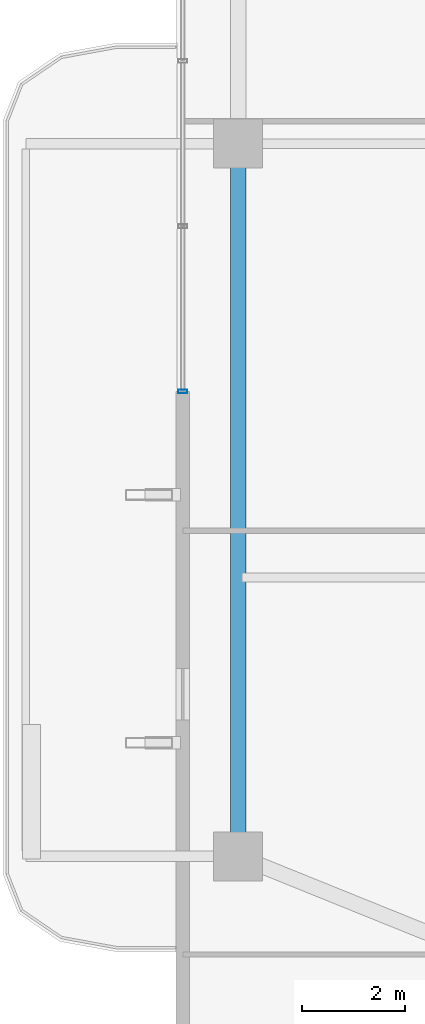
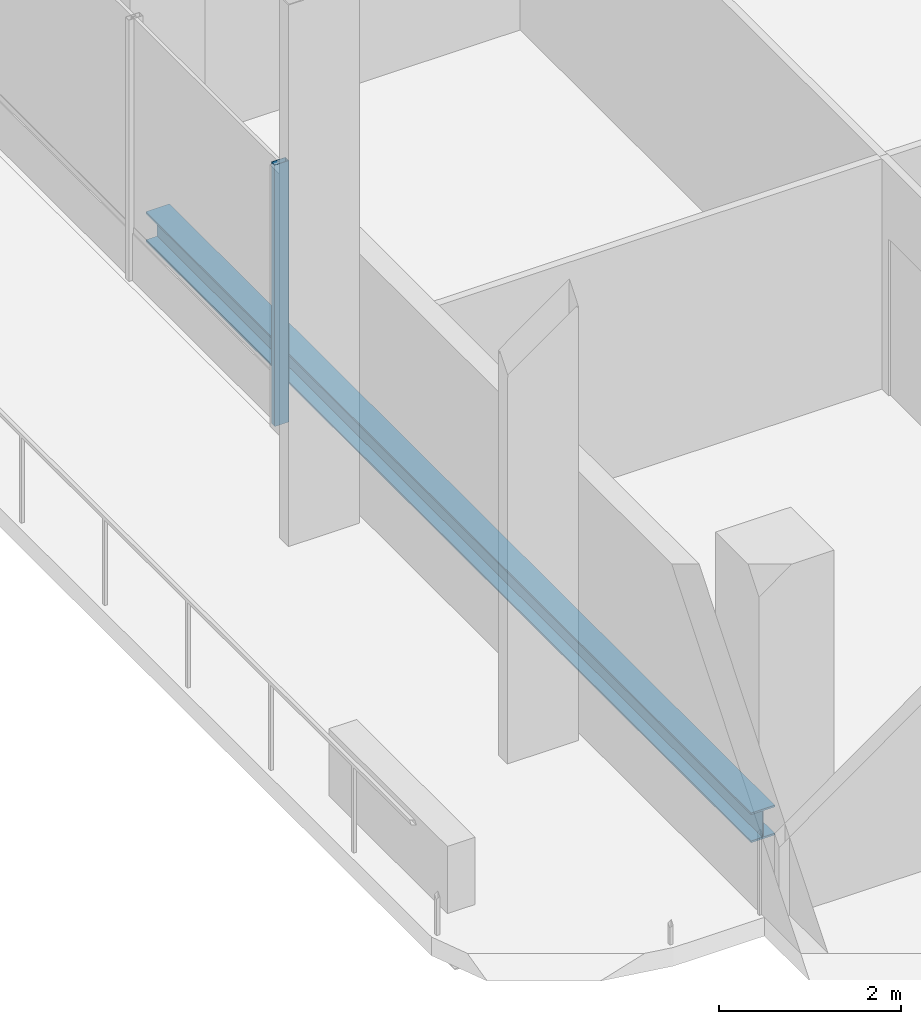
# One storey, part 4 of 25: 1 beam, 1 member, 1 element without a shape of its own.
"""IFC4 building model written with IfcOpenShell, lengths in metres."""

import ifcopenshell
import ifcopenshell.guid

model = None  # the IFC model being written
_history = None  # IfcOwnerHistory: only IFC2X3 demands one
_inside = {}  # id of a spatial element -> (the spatial element, [elements in it])
_under = {}  # id of a project, library or spatial element -> (it, [spatial elements below it])
_declared = {}  # id of a project -> (the project, [libraries it declares])
_typed = {}  # id of a type object -> (the type object, [elements of that type])
_made_of = {}  # id of a material, layer set ... -> (it, [elements and type objects made of it])


def new_model(schema):
    """Start an empty IFC model of exactly this schema.

    Asked for "IFC4X3", IfcOpenShell would pick the latest addendum, in which some entities
    have other attributes; the version numbers below select the first issue.
    IFC2X3 requires an IfcOwnerHistory on every rooted entity: one is made here for all.
    """
    global model, _history
    if schema == "IFC4X3":
        model = ifcopenshell.file(schema_version=(4, 3, 0, 0))
    else:
        model = ifcopenshell.file(schema=schema)
    _inside.clear()
    _under.clear()
    _declared.clear()
    _typed.clear()
    _made_of.clear()
    _history = None
    if model.schema == "IFC2X3":
        org = make("IfcOrganization", Name="unknown")
        user = make(
            "IfcPersonAndOrganization",
            ThePerson=make("IfcPerson", FamilyName="unknown"),
            TheOrganization=org,
        )
        app = make(
            "IfcApplication",
            ApplicationDeveloper=org,
            Version="unknown",
            ApplicationFullName="unknown",
            ApplicationIdentifier="unknown",
        )
        _history = make(
            "IfcOwnerHistory",
            OwningUser=user,
            OwningApplication=app,
            ChangeAction="ADDED",
            CreationDate=0,
        )
    return model


def make(cls, **values):
    """One entity of the class cls with the attributes given. An attribute that is None is left unset."""
    return model.create_entity(
        cls, **{name: value for name, value in values.items() if value is not None}
    )


def rooted(cls, **values):
    """An entity with a GlobalId (a new one), such as an element, a storey or a relation."""
    return make(cls, GlobalId=ifcopenshell.guid.new(), OwnerHistory=_history, **values)


def si_unit(unit_type, name, prefix=None):
    """IfcSIUnit, for example si_unit("LENGTHUNIT", "METRE", prefix="MILLI")."""
    return make("IfcSIUnit", UnitType=unit_type, Prefix=prefix, Name=name)


def assignment(units):
    """IfcUnitAssignment: the units of a project."""
    return None if units is None else make("IfcUnitAssignment", Units=units)


def point(xyz):
    """IfcCartesianPoint."""
    return None if xyz is None else make("IfcCartesianPoint", Coordinates=xyz)


def direction(xyz):
    """IfcDirection."""
    return None if xyz is None else make("IfcDirection", DirectionRatios=xyz)


def frame(location, z_axis=None, x_axis=None):
    """IfcAxis2Placement3D, a coordinate frame: its origin and axes. An axis left out is left unset."""
    return make(
        "IfcAxis2Placement3D",
        Location=point(location),
        Axis=direction(z_axis),
        RefDirection=direction(x_axis),
    )


def frame_2d(location, x_axis=None):
    """IfcAxis2Placement2D, a coordinate frame in the plane: its origin and x axis."""
    return make(
        "IfcAxis2Placement2D", Location=point(location), RefDirection=direction(x_axis)
    )


def origin():
    """The frame at (0, 0, 0) with its axes left unset."""
    return frame((0.0, 0.0, 0.0))


def origin_2d():
    """The frame at (0, 0) in the plane with its x axis left unset."""
    return frame_2d((0.0, 0.0))


def place(relative_to, where):
    """IfcLocalPlacement: puts the frame where relative to a parent placement (None: the world)."""
    return make(
        "IfcLocalPlacement", PlacementRelTo=relative_to, RelativePlacement=where
    )


def context(
    kind, dimensions, precision=None, world=None, true_north=None, identifier=None
):
    """IfcGeometricRepresentationContext, for example the 3D "Model" context."""
    return make(
        "IfcGeometricRepresentationContext",
        ContextIdentifier=identifier,
        ContextType=kind,
        CoordinateSpaceDimension=dimensions,
        Precision=precision,
        WorldCoordinateSystem=world,
        TrueNorth=true_north,
    )


def subcontext(parent, identifier, kind, view, scale=None):
    """IfcGeometricRepresentationSubContext, for example "Body" below "Model"."""
    return make(
        "IfcGeometricRepresentationSubContext",
        ContextIdentifier=identifier,
        ContextType=kind,
        ParentContext=parent,
        TargetScale=scale,
        TargetView=view,
    )


def project(units=None, contexts=None):
    """IfcProject with its units and contexts."""
    return rooted(
        "IfcProject",
        Name="project",
        RepresentationContexts=contexts,
        UnitsInContext=assignment(units),
    )


def spatial(cls, under=None, at=None, **own):
    """A site, building, storey or space (cls), placed at a placement, below another one or the project."""
    s = rooted(cls, ObjectPlacement=at, **own)
    if under is not None:
        _under.setdefault(under.id(), (under, []))[1].append(s)
    return s


def profile(cls, at=None, kind="AREA", **sizes):
    """A parametric profile (cls). Its sizes go by their IFC names, for example OverallWidth=200.0."""
    return make(cls, ProfileType=kind, Position=at, **sizes)


def hollow_rectangle(**sizes):
    """IfcRectangleHollowProfileDef."""
    return profile("IfcRectangleHollowProfileDef", **sizes)


def i_section(**sizes):
    """IfcIShapeProfileDef."""
    return profile("IfcIShapeProfileDef", **sizes)


def extrude(swept, where, along, depth):
    """IfcExtrudedAreaSolid: the profile swept, set in the frame where, extruded along a direction by depth."""
    return make(
        "IfcExtrudedAreaSolid",
        SweptArea=swept,
        Position=where,
        ExtrudedDirection=direction(along),
        Depth=depth,
    )


def shape(context_of_items, identifier, shape_type, items):
    """IfcShapeRepresentation: the items that make up one representation, for example the "Body"."""
    return make(
        "IfcShapeRepresentation",
        ContextOfItems=context_of_items,
        RepresentationIdentifier=identifier,
        RepresentationType=shape_type,
        Items=items,
    )


def material(Name=None, Category=None):
    """IfcMaterial."""
    return make("IfcMaterial", Name=Name, Category=Category)


def layer(
    of_material, thickness, ventilated=None, Name=None, Category=None, Priority=None
):
    """IfcMaterialLayer: one layer of a wall or slab, of a material (None: an air gap)."""
    return make(
        "IfcMaterialLayer",
        Material=of_material,
        LayerThickness=thickness,
        IsVentilated=ventilated,
        Name=Name,
        Category=Category,
        Priority=Priority,
    )


def layer_set(layers, Name=None):
    """IfcMaterialLayerSet."""
    return make("IfcMaterialLayerSet", MaterialLayers=layers, LayerSetName=Name)


def material_profile(
    of_material, cross_section, Name=None, Category=None, Priority=None
):
    """IfcMaterialProfile: a cross section and its material."""
    return make(
        "IfcMaterialProfile",
        Name=Name,
        Material=of_material,
        Profile=cross_section,
        Priority=Priority,
        Category=Category,
    )


def profile_set(profiles, Name=None, composite=None):
    """IfcMaterialProfileSet."""
    return make(
        "IfcMaterialProfileSet",
        Name=Name,
        MaterialProfiles=profiles,
        CompositeProfile=composite,
    )


def made_of(thing, what):
    """Note that an element or type object is made of a material, layer set ...; save() writes the relation."""
    if what is not None:
        _made_of.setdefault(what.id(), (what, []))[1].append(thing)
    return thing


def type_object(cls, material=None, **own):
    """A type object (cls), such as IfcWallType, which elements share."""
    return made_of(rooted(cls, **own), material)


def element(
    cls,
    number,
    at=None,
    inside=None,
    cuts=None,
    type_object=None,
    material=None,
    context=None,
    identifier="Body",
    shape_type=None,
    held_by="IfcProductDefinitionShape",
    body=None,
    shapes=None,
    **own,
):
    """One element of the class cls, such as IfcWall. Its Tag is "e" and its number.

    at: its placement. inside: the storey or other place that contains it. cuts: it is an
    opening in that element (IfcRelVoidsElement). A single representation is given by context,
    identifier, shape_type and body (its items); several are given by shapes. held_by: the class
    of the entity that holds the representations. save() writes the other relations.
    """
    e = rooted(cls, Tag="e%d" % number, ObjectPlacement=at, **own)
    if body is not None:
        shapes = [shape(context, identifier, shape_type, body)]
    if shapes is not None:
        e.Representation = make(held_by, Representations=shapes)
    if inside is not None:
        _inside.setdefault(inside.id(), (inside, []))[1].append(e)
    if cuts is not None:
        rooted(
            "IfcRelVoidsElement", RelatingBuildingElement=cuts, RelatedOpeningElement=e
        )
    if type_object is not None:
        _typed.setdefault(type_object.id(), (type_object, []))[1].append(e)
    return made_of(e, material)


def aggregate(whole, parts):
    """IfcRelAggregates: a whole, such as a stair, and the parts it consists of."""
    return rooted("IfcRelAggregates", RelatingObject=whole, RelatedObjects=parts)


def save(model, path):
    """Write the relations noted so far, then the file.

    IfcRelAggregates (storeys below a building ...), IfcRelContainedInSpatialStructure (elements
    in a storey), IfcRelDefinesByType, IfcRelAssociatesMaterial and IfcRelDeclares: one each for
    every whole, place, type object, material and project.
    """
    for whole, parts in _under.values():
        aggregate(whole, parts)
    for where, things in _inside.values():
        rooted(
            "IfcRelContainedInSpatialStructure",
            RelatedElements=things,
            RelatingStructure=where,
        )
    for kind, things in _typed.values():
        rooted("IfcRelDefinesByType", RelatedObjects=things, RelatingType=kind)
    for what, things in _made_of.values():
        rooted("IfcRelAssociatesMaterial", RelatedObjects=things, RelatingMaterial=what)
    for by, libraries in _declared.values():
        rooted("IfcRelDeclares", RelatingContext=by, RelatedDefinitions=libraries)
    model.write(path)


model = new_model("IFC4")

# Units and contexts
model_context = context("Model", 3, precision=1e-05, world=origin(), true_north=direction((0.0, 1.0)))
body_context = subcontext(model_context, "Body", "Model", "MODEL_VIEW")
ifc_project = project(units=[si_unit("LENGTHUNIT", "METRE"), si_unit("AREAUNIT", "SQUARE_METRE"), si_unit("VOLUMEUNIT", "CUBIC_METRE"), si_unit("PLANEANGLEUNIT", "RADIAN"), si_unit("MASSUNIT", "GRAM", prefix="KILO")], contexts=[model_context])

# Site, building, storey
site_placement = place(None, origin())
site = spatial("IfcSite", under=ifc_project, at=site_placement, CompositionType="ELEMENT")
building_placement = place(site_placement, origin())
building = spatial("IfcBuilding", under=site, at=building_placement, Name="Belovzor Exchange Tower", CompositionType="ELEMENT")
storey_placement = place(building_placement, frame((0.0, 0.0, 257.85009765625)))
storey = spatial("IfcBuildingStorey", under=building, at=storey_placement, Name="L64", CompositionType="ELEMENT", Elevation=257.85009765625)

# Curtain wall, member
ifc_material_1 = material(Name="Anodised Aluminium Framing", Category="aluminium")
ifc_layer = layer(ifc_material_1, 0.179931640625)
ifc_layer_set = layer_set([ifc_layer], Name="Anodised Aluminium Framing")
curtain_wall_type = type_object("IfcCurtainWallType", Name="Recessed Loggia Low-Iron Triple-Glazed Curtain Wall", PredefinedType="NOTDEFINED", material=ifc_layer_set)
curtain_wall_placement = place(storey_placement, origin())
curtain_wall = element("IfcCurtainWall", 1, at=curtain_wall_placement, inside=storey, type_object=curtain_wall_type, Name="CW3 Recessed Loggia Low-Iron Triple-Glazed Curtain Wall L64", PredefinedType="NOTDEFINED")
ifc_material_2 = material(Name="Steel S355", Category="steel")
ifc_material_profile_1 = material_profile(ifc_material_2, hollow_rectangle(XDim=0.074951171875, YDim=0.179931640625, WallThickness=0.0048828125, at=origin_2d()))
ifc_profile_set_1 = profile_set([ifc_material_profile_1], Name="Steel S355")
member_type = type_object("IfcMemberType", Name="Thermally Broken Curtain Wall Mullion 180x75", PredefinedType="MULLION", material=ifc_profile_set_1)
member_placement = place(storey_placement, frame((4.030029296875, 24.0, 0.0), z_axis=(0.0, 0.0, 1.0), x_axis=(0.0, 1.0, 0.0)))
member = element("IfcMember", 2, at=member_placement, type_object=member_type, Name="CW-M180 Curtain Wall Mullion 1", PredefinedType="MULLION", context=body_context, shape_type="SweptSolid", body=[
    extrude(hollow_rectangle(XDim=0.074951171875, YDim=0.179931640625, WallThickness=0.0048828125, at=origin_2d()), origin(), (0.0, 0.0, 1.0), 3.5),
])
aggregate(curtain_wall, [member])

# Beam
ifc_material_3 = material(Name="Steel S355", Category="steel")
ifc_material_profile_2 = material_profile(ifc_material_3, i_section(OverallWidth=0.300048828125, OverallDepth=0.39990234375, WebThickness=0.013427734375, FlangeThickness=0.02392578125, at=origin_2d()))
ifc_profile_set_2 = profile_set([ifc_material_profile_2], Name="Steel S355")
beam_type = type_object("IfcBeamType", Name="Zone 5 Primary Girder HEB 400", PredefinedType="BEAM", material=ifc_profile_set_2)
beam_placement = place(storey_placement, frame((5.10009765625, 28.5390625, -0.4501953125), z_axis=(0.0, -1.0, 0.0), x_axis=(1.0, 0.0, 0.0)))
element("IfcBeam", 3, at=beam_placement, inside=storey, type_object=beam_type, Name="FG-Z5 Zone 5 Primary Girder HEB 400", PredefinedType="BEAM", context=body_context, shape_type="SweptSolid", body=[
    extrude(i_section(OverallWidth=0.300048828125, OverallDepth=0.39990234375, WebThickness=0.013427734375, FlangeThickness=0.02392578125, at=origin_2d()), origin(), (0.0, 0.0, 1.0), 13.278076171875),
])

save(model, "model.ifc")
